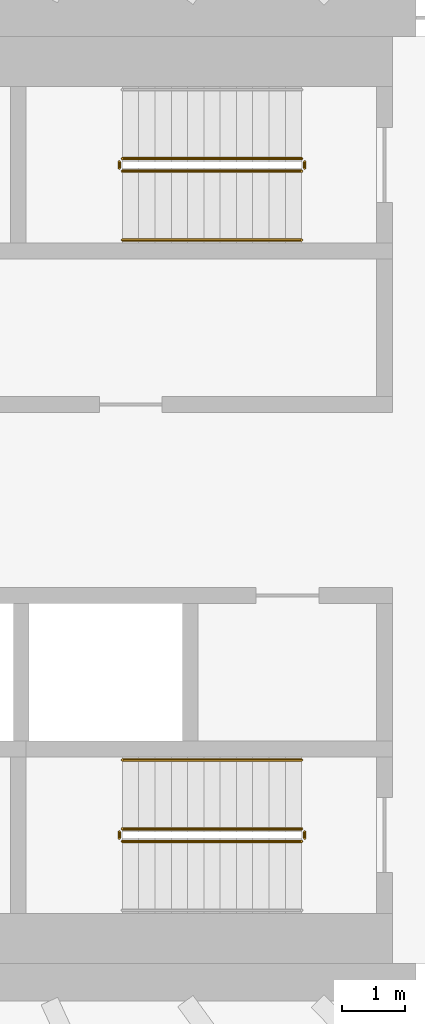
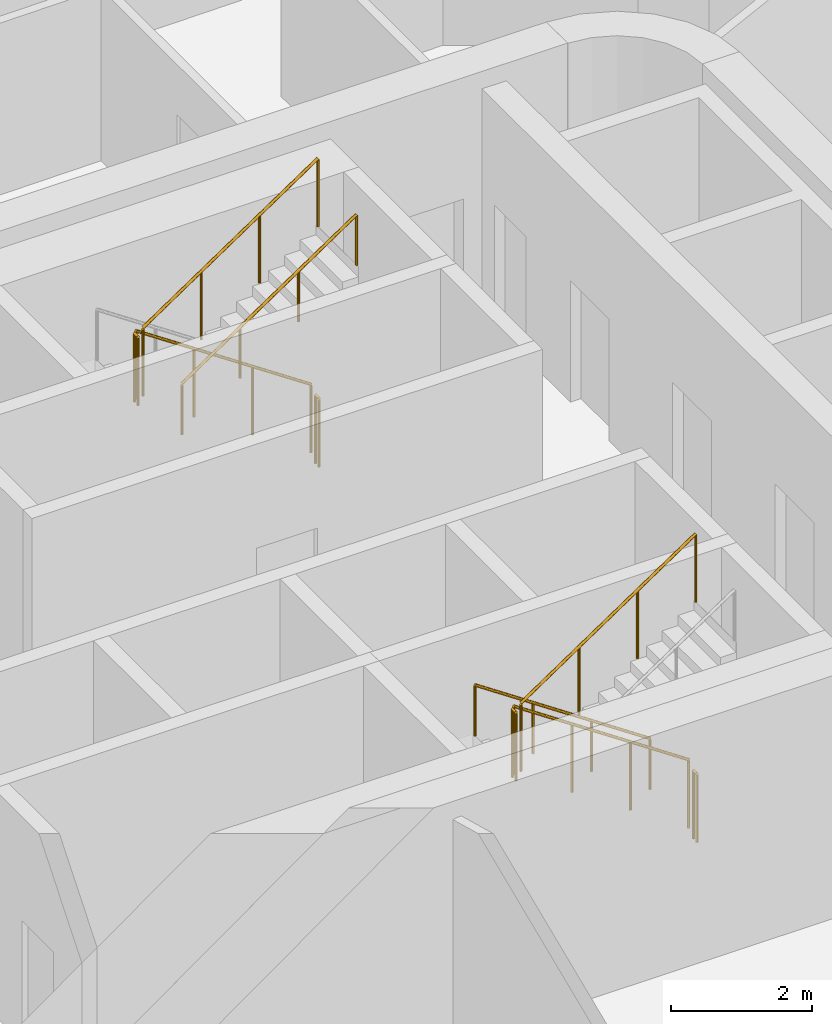
# One storey, part 24 of 26: 10 railings.
"""IFC4 building model written with IfcOpenShell, lengths in metres."""

from ifc_helpers import new_model, si_unit, direction, frame, origin, origin_2d, place, context, subcontext, project, spatial, circle, extrude, material, type_object, element, save


model = new_model("IFC4")

# Units and contexts
model_context = context("Model", 3, precision=1e-05, world=origin(), true_north=direction((0.0, 1.0)))
body_context = subcontext(model_context, "Body", "Model", "MODEL_VIEW")
ifc_project = project(units=[si_unit("LENGTHUNIT", "METRE"), si_unit("AREAUNIT", "SQUARE_METRE"), si_unit("VOLUMEUNIT", "CUBIC_METRE"), si_unit("PLANEANGLEUNIT", "RADIAN"), si_unit("MASSUNIT", "GRAM", prefix="KILO")], contexts=[model_context])

# Site, building, storey
site_placement = place(None, origin())
site = spatial("IfcSite", under=ifc_project, at=site_placement, CompositionType="ELEMENT")
building_placement = place(site_placement, origin())
building = spatial("IfcBuilding", under=site, at=building_placement, Name="Sahrelin Media Tower", CompositionType="ELEMENT")
storey_placement = place(building_placement, frame((0.0, 0.0, 92.39990234375)))
storey = spatial("IfcBuildingStorey", under=building, at=storey_placement, Name="L17", CompositionType="ELEMENT", Elevation=92.39990234375)

# Railings
ifc_material = material(Name="Steel S355", Category="steel")
railing_type_1 = type_object("IfcRailingType", Name="Stair guard 1200", PredefinedType="GUARDRAIL", material=ifc_material)
railing_1_placement = place(storey_placement, frame((7.675048828125, 5.449951171875, 0.175048828125)))
element("IfcRailing", 1, at=railing_1_placement, inside=storey, type_object=railing_type_1, Name="L17 ST3 stair guard 1", PredefinedType="GUARDRAIL", context=body_context, shape_type="SweptSolid", body=[
    extrude(circle(Radius=0.02392578125, at=origin_2d()), frame((0.0, 0.0, 1.17578125), z_axis=(-0.829590901723, 0.0, 0.558371682465), x_axis=(0.0, -1.0, 0.0)), (0.0, 0.0, 1.0), 3.447509765625),
    extrude(circle(Radius=0.02099609375, at=origin_2d()), origin(), (0.0, 0.0, 1.0), 1.15185546875),
    extrude(circle(Radius=0.02099609375, at=origin_2d()), frame((-0.953369140625, 0.0, 0.6416015625)), (0.0, 0.0, 1.0), 1.15185546875),
    extrude(circle(Radius=0.02099609375, at=origin_2d()), frame((-1.90673828125, 0.0, 1.283447265625)), (0.0, 0.0, 1.0), 1.15185546875),
    extrude(circle(Radius=0.02099609375, at=origin_2d()), frame((-2.860107421875, 0.0, 1.925048828125)), (0.0, 0.0, 1.0), 1.15185546875),
])
railing_2_placement = place(storey_placement, frame((4.764892578125, 5.39990234375, 2.10009765625)))
element("IfcRailing", 2, at=railing_2_placement, inside=storey, type_object=railing_type_1, Name="L17 ST3 stair guard 2", PredefinedType="GUARDRAIL", context=body_context, shape_type="SweptSolid", body=[
    extrude(circle(Radius=0.02392578125, at=origin_2d()), frame((0.0, 0.0, 1.17578125), z_axis=(0.0, -1.0, 0.0), x_axis=(1.0, 0.0, 0.0)), (0.0, 0.0, 1.0), 0.099853515625),
    extrude(circle(Radius=0.02099609375, at=origin_2d()), origin(), (0.0, 0.0, 1.0), 1.15185546875),
    extrude(circle(Radius=0.02099609375, at=origin_2d()), frame((0.0, -0.099853515625, 0.0)), (0.0, 0.0, 1.0), 1.15185546875),
])
railing_3_placement = place(storey_placement, frame((4.81494140625, 5.25, 2.275146484375)))
element("IfcRailing", 3, at=railing_3_placement, inside=storey, type_object=railing_type_1, Name="L17 ST3 stair guard 3", PredefinedType="GUARDRAIL", context=body_context, shape_type="SweptSolid", body=[
    extrude(circle(Radius=0.02392578125, at=origin_2d()), frame((0.0, 0.0, 1.17578125), z_axis=(0.829590901723, 0.0, 0.558371682465), x_axis=(0.0, 1.0, 0.0)), (0.0, 0.0, 1.0), 3.447509765625),
    extrude(circle(Radius=0.02099609375, at=origin_2d()), origin(), (0.0, 0.0, 1.0), 1.15185546875),
    extrude(circle(Radius=0.02099609375, at=origin_2d()), frame((0.953369140625, 0.0, 0.6416015625)), (0.0, 0.0, 1.0), 1.15185546875),
    extrude(circle(Radius=0.02099609375, at=origin_2d()), frame((1.90673828125, 0.0, 1.283447265625)), (0.0, 0.0, 1.0), 1.15185546875),
    extrude(circle(Radius=0.02099609375, at=origin_2d()), frame((2.860107421875, 0.0, 1.925048828125)), (0.0, 0.0, 1.0), 1.15185546875),
])
railing_4_placement = place(storey_placement, frame((7.72509765625, 5.39990234375, 0.0)))
element("IfcRailing", 4, at=railing_4_placement, inside=storey, type_object=railing_type_1, Name="L17 ST3 stair guard 4", PredefinedType="GUARDRAIL", context=body_context, shape_type="SweptSolid", body=[
    extrude(circle(Radius=0.02392578125, at=origin_2d()), frame((0.0, 0.0, 1.17578125), z_axis=(0.0, -1.0, 0.0), x_axis=(1.0, 0.0, 0.0)), (0.0, 0.0, 1.0), 0.099853515625),
    extrude(circle(Radius=0.02099609375, at=origin_2d()), origin(), (0.0, 0.0, 1.0), 1.15185546875),
    extrude(circle(Radius=0.02099609375, at=origin_2d()), frame((0.0, -0.099853515625, 0.0)), (0.0, 0.0, 1.0), 1.15185546875),
])
railing_5_placement = place(storey_placement, frame((7.675048828125, -5.25, 0.175048828125)))
element("IfcRailing", 5, at=railing_5_placement, inside=storey, type_object=railing_type_1, Name="L17 ST2 stair guard 1", PredefinedType="GUARDRAIL", context=body_context, shape_type="SweptSolid", body=[
    extrude(circle(Radius=0.02392578125, at=origin_2d()), frame((0.0, 0.0, 1.17578125), z_axis=(-0.829590901723, 0.0, 0.558371682465), x_axis=(0.0, -1.0, 0.0)), (0.0, 0.0, 1.0), 3.447509765625),
    extrude(circle(Radius=0.02099609375, at=origin_2d()), origin(), (0.0, 0.0, 1.0), 1.15185546875),
    extrude(circle(Radius=0.02099609375, at=origin_2d()), frame((-0.953369140625, 0.0, 0.6416015625)), (0.0, 0.0, 1.0), 1.15185546875),
    extrude(circle(Radius=0.02099609375, at=origin_2d()), frame((-1.90673828125, 0.0, 1.283447265625)), (0.0, 0.0, 1.0), 1.15185546875),
    extrude(circle(Radius=0.02099609375, at=origin_2d()), frame((-2.860107421875, 0.0, 1.925048828125)), (0.0, 0.0, 1.0), 1.15185546875),
])
railing_6_placement = place(storey_placement, frame((4.764892578125, -5.300048828125, 2.10009765625)))
element("IfcRailing", 6, at=railing_6_placement, inside=storey, type_object=railing_type_1, Name="L17 ST2 stair guard 2", PredefinedType="GUARDRAIL", context=body_context, shape_type="SweptSolid", body=[
    extrude(circle(Radius=0.02392578125, at=origin_2d()), frame((0.0, 0.0, 1.17578125), z_axis=(0.0, -1.0, 0.0), x_axis=(1.0, 0.0, 0.0)), (0.0, 0.0, 1.0), 0.099853515625),
    extrude(circle(Radius=0.02099609375, at=origin_2d()), origin(), (0.0, 0.0, 1.0), 1.15185546875),
    extrude(circle(Radius=0.02099609375, at=origin_2d()), frame((0.0, -0.099853515625, 0.0)), (0.0, 0.0, 1.0), 1.15185546875),
])
railing_7_placement = place(storey_placement, frame((4.81494140625, -5.449951171875, 2.275146484375)))
element("IfcRailing", 7, at=railing_7_placement, inside=storey, type_object=railing_type_1, Name="L17 ST2 stair guard 3", PredefinedType="GUARDRAIL", context=body_context, shape_type="SweptSolid", body=[
    extrude(circle(Radius=0.02392578125, at=origin_2d()), frame((0.0, 0.0, 1.17578125), z_axis=(0.829590901723, 0.0, 0.558371682465), x_axis=(0.0, 1.0, 0.0)), (0.0, 0.0, 1.0), 3.447509765625),
    extrude(circle(Radius=0.02099609375, at=origin_2d()), origin(), (0.0, 0.0, 1.0), 1.15185546875),
    extrude(circle(Radius=0.02099609375, at=origin_2d()), frame((0.953369140625, 0.0, 0.6416015625)), (0.0, 0.0, 1.0), 1.15185546875),
    extrude(circle(Radius=0.02099609375, at=origin_2d()), frame((1.90673828125, 0.0, 1.283447265625)), (0.0, 0.0, 1.0), 1.15185546875),
    extrude(circle(Radius=0.02099609375, at=origin_2d()), frame((2.860107421875, 0.0, 1.925048828125)), (0.0, 0.0, 1.0), 1.15185546875),
])
railing_8_placement = place(storey_placement, frame((7.72509765625, -5.300048828125, 0.0)))
element("IfcRailing", 8, at=railing_8_placement, inside=storey, type_object=railing_type_1, Name="L17 ST2 stair guard 4", PredefinedType="GUARDRAIL", context=body_context, shape_type="SweptSolid", body=[
    extrude(circle(Radius=0.02392578125, at=origin_2d()), frame((0.0, 0.0, 1.17578125), z_axis=(0.0, -1.0, 0.0), x_axis=(1.0, 0.0, 0.0)), (0.0, 0.0, 1.0), 0.099853515625),
    extrude(circle(Radius=0.02099609375, at=origin_2d()), origin(), (0.0, 0.0, 1.0), 1.15185546875),
    extrude(circle(Radius=0.02099609375, at=origin_2d()), frame((0.0, -0.099853515625, 0.0)), (0.0, 0.0, 1.0), 1.15185546875),
])
railing_type_2 = type_object("IfcRailingType", Name="Stair handrail 900", PredefinedType="HANDRAIL", material=ifc_material)
railing_9_placement = place(storey_placement, frame((4.81494140625, 4.14990234375, 2.275146484375)))
element("IfcRailing", 9, at=railing_9_placement, inside=storey, type_object=railing_type_2, Name="L17 ST3 stair handrail 2", PredefinedType="HANDRAIL", context=body_context, shape_type="SweptSolid", body=[
    extrude(circle(Radius=0.02392578125, at=origin_2d()), frame((0.0, 0.0, 0.8759765625), z_axis=(0.829590901723, 0.0, 0.558371682465), x_axis=(0.0, 1.0, 0.0)), (0.0, 0.0, 1.0), 3.447509765625),
    extrude(circle(Radius=0.02099609375, at=origin_2d()), origin(), (0.0, 0.0, 1.0), 0.851806640625),
    extrude(circle(Radius=0.02099609375, at=origin_2d()), frame((0.953369140625, 0.0, 0.6416015625)), (0.0, 0.0, 1.0), 0.851806640625),
    extrude(circle(Radius=0.02099609375, at=origin_2d()), frame((1.90673828125, 0.0, 1.283447265625)), (0.0, 0.0, 1.0), 0.851806640625),
    extrude(circle(Radius=0.02099609375, at=origin_2d()), frame((2.860107421875, 0.0, 1.925048828125)), (0.0, 0.0, 1.0), 0.851806640625),
])
railing_10_placement = place(storey_placement, frame((7.675048828125, -4.14990234375, 0.175048828125)))
element("IfcRailing", 10, at=railing_10_placement, inside=storey, type_object=railing_type_2, Name="L17 ST2 stair handrail 1", PredefinedType="HANDRAIL", context=body_context, shape_type="SweptSolid", body=[
    extrude(circle(Radius=0.02392578125, at=origin_2d()), frame((0.0, 0.0, 0.8759765625), z_axis=(-0.829590901723, 0.0, 0.558371682465), x_axis=(0.0, -1.0, 0.0)), (0.0, 0.0, 1.0), 3.447509765625),
    extrude(circle(Radius=0.02099609375, at=origin_2d()), origin(), (0.0, 0.0, 1.0), 0.851806640625),
    extrude(circle(Radius=0.02099609375, at=origin_2d()), frame((-0.953369140625, 0.0, 0.6416015625)), (0.0, 0.0, 1.0), 0.851806640625),
    extrude(circle(Radius=0.02099609375, at=origin_2d()), frame((-1.90673828125, 0.0, 1.283447265625)), (0.0, 0.0, 1.0), 0.851806640625),
    extrude(circle(Radius=0.02099609375, at=origin_2d()), frame((-2.860107421875, 0.0, 1.925048828125)), (0.0, 0.0, 1.0), 0.851806640625),
])

save(model, "model.ifc")
